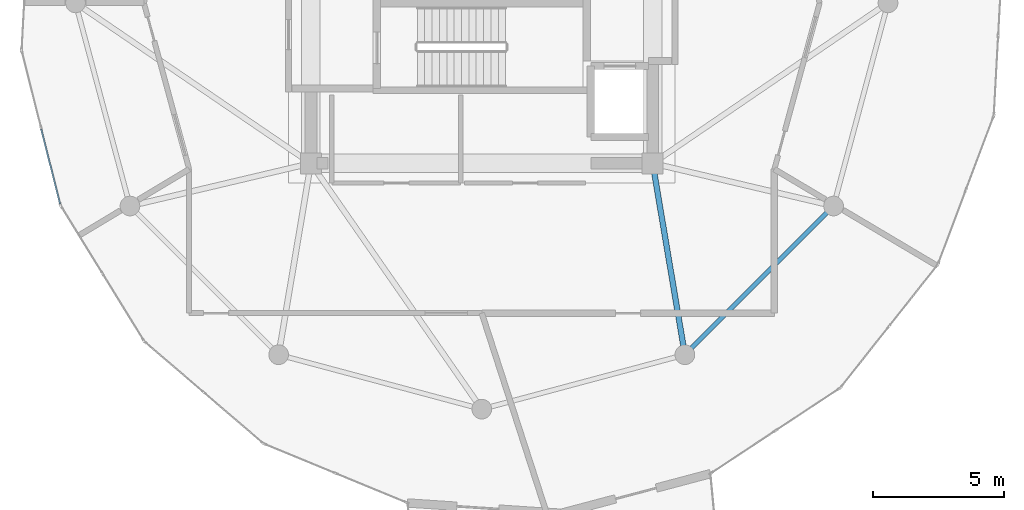
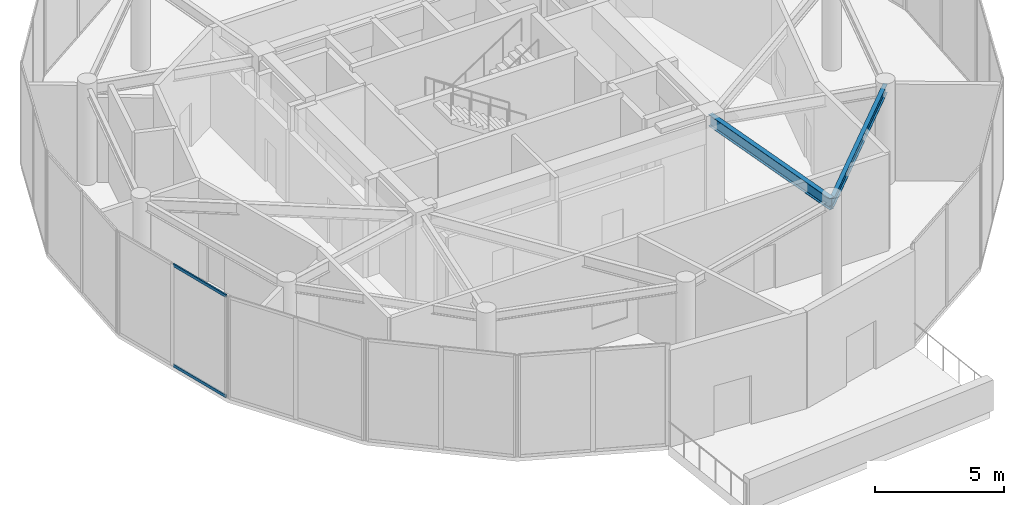
# One storey, part 5 of 21: 2 beams, 2 members, 1 element without a shape of its own.
"""IFC4 building model written with IfcOpenShell, lengths in metres."""

from ifc_helpers import new_model, si_unit, direction, frame, origin, origin_2d, place, context, subcontext, project, spatial, hollow_rectangle, i_section, extrude, source, transform, mapped, material, layer, layer_set, material_profile, profile_set, type_object, element, aggregate, save


model = new_model("IFC4")

# Units and contexts
model_context = context("Model", 3, precision=1e-05, world=origin(), true_north=direction((0.0, 1.0)))
body_context = subcontext(model_context, "Body", "Model", "MODEL_VIEW")
ifc_project = project(units=[si_unit("LENGTHUNIT", "METRE"), si_unit("AREAUNIT", "SQUARE_METRE"), si_unit("VOLUMEUNIT", "CUBIC_METRE"), si_unit("PLANEANGLEUNIT", "RADIAN"), si_unit("MASSUNIT", "GRAM", prefix="KILO")], contexts=[model_context])

# Site, building, storey
site_placement = place(None, origin())
site = spatial("IfcSite", under=ifc_project, at=site_placement, CompositionType="ELEMENT")
building_placement = place(site_placement, origin())
building = spatial("IfcBuilding", under=site, at=building_placement, Name="Solvirekh Grand Hotel", CompositionType="ELEMENT")
storey_placement = place(building_placement, frame((0.0, 0.0, 262.0)))
storey = spatial("IfcBuildingStorey", under=building, at=storey_placement, Name="L68", CompositionType="ELEMENT", Elevation=262.0)

# Beams
ifc_material_1 = material(Name="Steel S355", Category="steel")
ifc_material_profile_1 = material_profile(ifc_material_1, i_section(OverallWidth=0.2119140625, OverallDepth=0.5439453125, WebThickness=0.011962890625, FlangeThickness=0.01904296875, FilletRadius=0.013916015625, at=origin_2d()), Name="W530X123")
ifc_profile_set_1 = profile_set([ifc_material_profile_1], Name="Steel S355")
beam_type_1 = type_object("IfcBeamType", Name="Beam_Radial_W530H", PredefinedType="BEAM", material=ifc_profile_set_1)
beam_1_placement = place(storey_placement, frame((6.5, -6.10009765625, 4.298095703125), z_axis=(0.165954049106, -0.986133486697, 0.0), x_axis=(0.986133486697, 0.165954049106, 0.0)))
element("IfcBeam", 1, at=beam_1_placement, inside=storey, type_object=beam_type_1, Name="L68 radial floor beam R11", PredefinedType="BEAM", context=body_context, shape_type="SweptSolid", body=[
    extrude(i_section(OverallWidth=0.2119140625, OverallDepth=0.5439453125, WebThickness=0.011962890625, FlangeThickness=0.01904296875, FilletRadius=0.013916015625, at=origin_2d()), origin(), (0.0, 0.0, 1.0), 7.382080078125),
])
ifc_material_profile_2 = material_profile(ifc_material_1, i_section(OverallWidth=0.180908203125, OverallDepth=0.4169921875, WebThickness=0.010009765625, FlangeThickness=0.01611328125, FilletRadius=0.011962890625, at=origin_2d()), Name="W410X85")
ifc_profile_set_2 = profile_set([ifc_material_profile_2], Name="Steel S355")
beam_type_2 = type_object("IfcBeamType", Name="Spandrel_Ring_W410", PredefinedType="SPANDREL", material=ifc_profile_set_2)
beam_2_placement = place(storey_placement, frame((7.72509765625, -13.3798828125, 4.361083984375), z_axis=(0.707106781187, 0.707106781187, 0.0), x_axis=(-0.707106781187, 0.707106781187, 0.0)))
element("IfcBeam", 2, at=beam_2_placement, inside=storey, type_object=beam_type_2, Name="L68 perimeter spandrel beam 11", PredefinedType="SPANDREL", context=body_context, shape_type="SweptSolid", body=[
    extrude(i_section(OverallWidth=0.180908203125, OverallDepth=0.4169921875, WebThickness=0.010009765625, FlangeThickness=0.01611328125, FilletRadius=0.011962890625, at=origin_2d()), origin(), (0.0, 0.0, 1.0), 7.9970703125),
])

# Curtain wall, members
ifc_material_2 = material(Name="Anodized Bronze Aluminium 6063-T6", Category="aluminium")
ifc_layer = layer(ifc_material_2, 0.18994140625)
ifc_layer_set = layer_set([ifc_layer], Name="Anodized Bronze Aluminium 6063-T6")
curtain_wall_type = type_object("IfcCurtainWallType", Name="CW_Sys5_SkyLobbyPanoramaCW", PredefinedType="NOTDEFINED", material=ifc_layer_set)
curtain_wall_placement = place(storey_placement, origin())
curtain_wall = element("IfcCurtainWall", 3, at=curtain_wall_placement, inside=storey, type_object=curtain_wall_type, Name="L68 unitised bronze-glass curtain wall CW-L68-C16", PredefinedType="NOTDEFINED")
ifc_material_profile_3 = material_profile(ifc_material_2, hollow_rectangle(XDim=0.06005859375, YDim=0.135009765625, WallThickness=0.00390625, at=origin_2d()), Name="ALU RHS 135X60X4")
ifc_profile_set_3 = profile_set([ifc_material_profile_3], Name="Anodized Bronze Aluminium 6063-T6")
member_type = type_object("IfcMemberType", Name="CWTransom_Sys5", PredefinedType="USERDEFINED", material=ifc_profile_set_3)
shared_shape = source(origin(), body_context, "Body", "SweptSolid", [
    extrude(hollow_rectangle(XDim=0.06005859375, YDim=0.135009765625, WallThickness=0.00390625, at=origin_2d()), origin(), (0.0, 0.0, 1.0), 2.942138671875),
])
member_1_placement = place(storey_placement, frame((-16.7578125, -4.79248046875, 0.030029296875), z_axis=(0.244955923079, -0.969534215873, 0.0), x_axis=(0.969534215873, 0.244955923079, 0.0)))
member_1 = element("IfcMember", 4, at=member_1_placement, type_object=member_type, Name="U05 transom 2.1", ObjectType="TRANSOM", PredefinedType="USERDEFINED", context=body_context, shape_type="MappedRepresentation", body=[
    mapped(shared_shape, transform((0.0, 0.0, 0.0), x_axis=(1.0, 0.0, 0.0), y_axis=(0.0, 1.0, 0.0), z_axis=(0.0, 0.0, 1.0), scale=1.0)),
])
member_2_placement = place(storey_placement, frame((-16.7578125, -4.79248046875, 4.77001953125), z_axis=(0.244955923079, -0.969534215873, 0.0), x_axis=(0.969534215873, 0.244955923079, 0.0)))
member_2 = element("IfcMember", 5, at=member_2_placement, type_object=member_type, Name="U05 transom 2.2", ObjectType="TRANSOM", PredefinedType="USERDEFINED", context=body_context, shape_type="MappedRepresentation", body=[
    mapped(shared_shape, transform((0.0, 0.0, 0.0), x_axis=(1.0, 0.0, 0.0), y_axis=(0.0, 1.0, 0.0), z_axis=(0.0, 0.0, 1.0), scale=1.0)),
])
aggregate(curtain_wall, [member_1, member_2])

save(model, "model.ifc")
